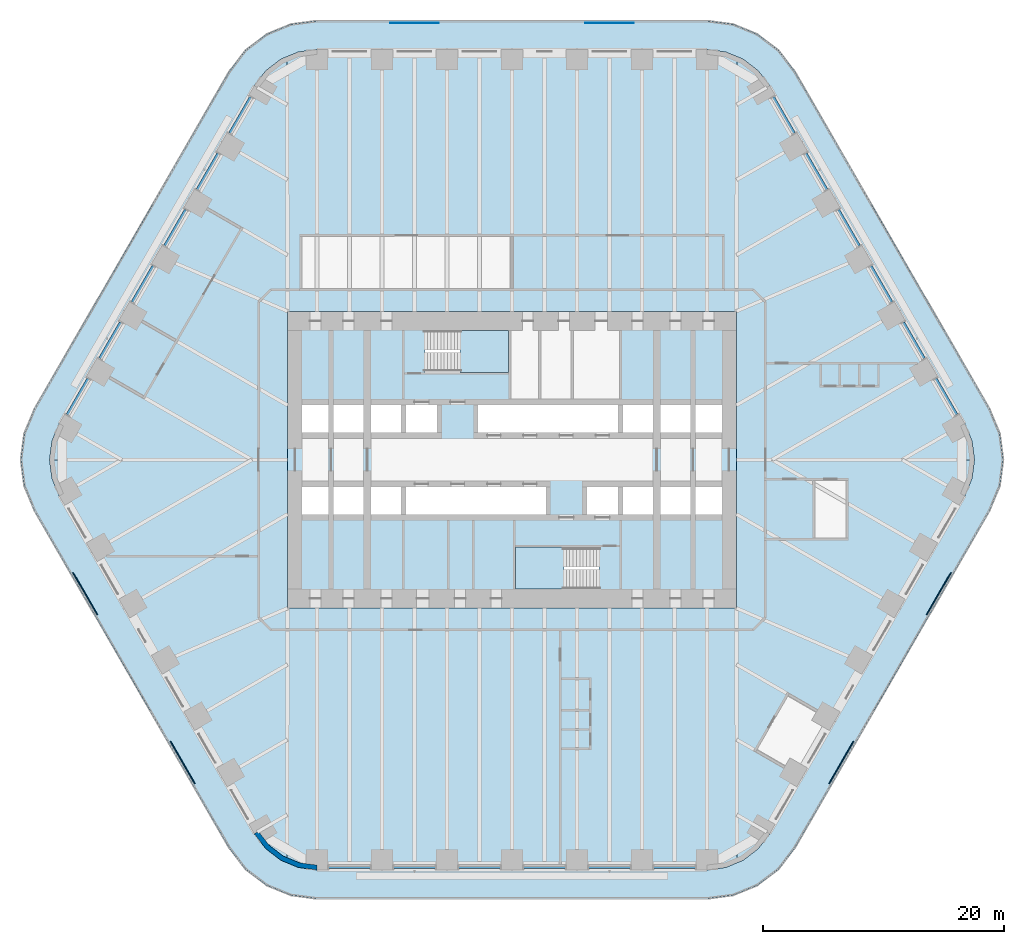
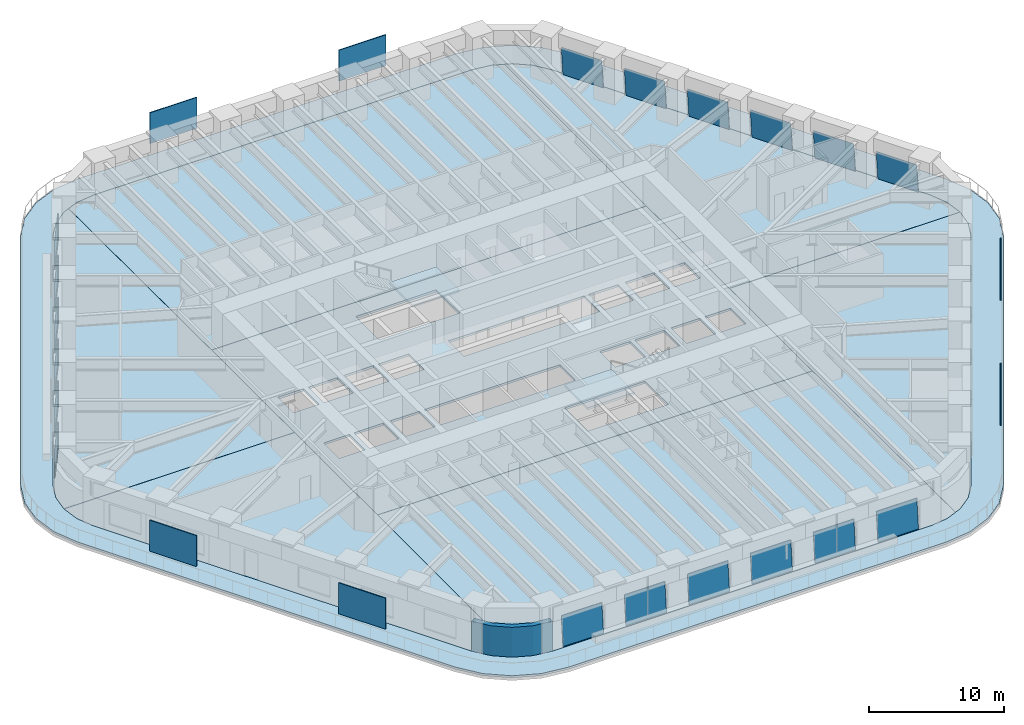
# One storey, part 15 of 24: 24 plates, 10 slabs, 1 wall, 20 elements without a shape of their own.
"""IFC4 building model written with IfcOpenShell, lengths in metres."""

import ifcopenshell
import ifcopenshell.guid

model = None  # the IFC model being written
_history = None  # IfcOwnerHistory: only IFC2X3 demands one
_inside = {}  # id of a spatial element -> (the spatial element, [elements in it])
_under = {}  # id of a project, library or spatial element -> (it, [spatial elements below it])
_declared = {}  # id of a project -> (the project, [libraries it declares])
_typed = {}  # id of a type object -> (the type object, [elements of that type])
_made_of = {}  # id of a material, layer set ... -> (it, [elements and type objects made of it])


def new_model(schema):
    """Start an empty IFC model of exactly this schema.

    Asked for "IFC4X3", IfcOpenShell would pick the latest addendum, in which some entities
    have other attributes; the version numbers below select the first issue.
    IFC2X3 requires an IfcOwnerHistory on every rooted entity: one is made here for all.
    """
    global model, _history
    if schema == "IFC4X3":
        model = ifcopenshell.file(schema_version=(4, 3, 0, 0))
    else:
        model = ifcopenshell.file(schema=schema)
    _inside.clear()
    _under.clear()
    _declared.clear()
    _typed.clear()
    _made_of.clear()
    _history = None
    if model.schema == "IFC2X3":
        org = make("IfcOrganization", Name="unknown")
        user = make(
            "IfcPersonAndOrganization",
            ThePerson=make("IfcPerson", FamilyName="unknown"),
            TheOrganization=org,
        )
        app = make(
            "IfcApplication",
            ApplicationDeveloper=org,
            Version="unknown",
            ApplicationFullName="unknown",
            ApplicationIdentifier="unknown",
        )
        _history = make(
            "IfcOwnerHistory",
            OwningUser=user,
            OwningApplication=app,
            ChangeAction="ADDED",
            CreationDate=0,
        )
    return model


def make(cls, **values):
    """One entity of the class cls with the attributes given. An attribute that is None is left unset."""
    return model.create_entity(
        cls, **{name: value for name, value in values.items() if value is not None}
    )


def rooted(cls, **values):
    """An entity with a GlobalId (a new one), such as an element, a storey or a relation."""
    return make(cls, GlobalId=ifcopenshell.guid.new(), OwnerHistory=_history, **values)


def si_unit(unit_type, name, prefix=None):
    """IfcSIUnit, for example si_unit("LENGTHUNIT", "METRE", prefix="MILLI")."""
    return make("IfcSIUnit", UnitType=unit_type, Prefix=prefix, Name=name)


def assignment(units):
    """IfcUnitAssignment: the units of a project."""
    return None if units is None else make("IfcUnitAssignment", Units=units)


def point(xyz):
    """IfcCartesianPoint."""
    return None if xyz is None else make("IfcCartesianPoint", Coordinates=xyz)


def direction(xyz):
    """IfcDirection."""
    return None if xyz is None else make("IfcDirection", DirectionRatios=xyz)


def frame(location, z_axis=None, x_axis=None):
    """IfcAxis2Placement3D, a coordinate frame: its origin and axes. An axis left out is left unset."""
    return make(
        "IfcAxis2Placement3D",
        Location=point(location),
        Axis=direction(z_axis),
        RefDirection=direction(x_axis),
    )


def frame_2d(location, x_axis=None):
    """IfcAxis2Placement2D, a coordinate frame in the plane: its origin and x axis."""
    return make(
        "IfcAxis2Placement2D", Location=point(location), RefDirection=direction(x_axis)
    )


def origin():
    """The frame at (0, 0, 0) with its axes left unset."""
    return frame((0.0, 0.0, 0.0))


def origin_2d():
    """The frame at (0, 0) in the plane with its x axis left unset."""
    return frame_2d((0.0, 0.0))


def place(relative_to, where):
    """IfcLocalPlacement: puts the frame where relative to a parent placement (None: the world)."""
    return make(
        "IfcLocalPlacement", PlacementRelTo=relative_to, RelativePlacement=where
    )


def context(
    kind, dimensions, precision=None, world=None, true_north=None, identifier=None
):
    """IfcGeometricRepresentationContext, for example the 3D "Model" context."""
    return make(
        "IfcGeometricRepresentationContext",
        ContextIdentifier=identifier,
        ContextType=kind,
        CoordinateSpaceDimension=dimensions,
        Precision=precision,
        WorldCoordinateSystem=world,
        TrueNorth=true_north,
    )


def subcontext(parent, identifier, kind, view, scale=None):
    """IfcGeometricRepresentationSubContext, for example "Body" below "Model"."""
    return make(
        "IfcGeometricRepresentationSubContext",
        ContextIdentifier=identifier,
        ContextType=kind,
        ParentContext=parent,
        TargetScale=scale,
        TargetView=view,
    )


def project(units=None, contexts=None):
    """IfcProject with its units and contexts."""
    return rooted(
        "IfcProject",
        Name="project",
        RepresentationContexts=contexts,
        UnitsInContext=assignment(units),
    )


def spatial(cls, under=None, at=None, **own):
    """A site, building, storey or space (cls), placed at a placement, below another one or the project."""
    s = rooted(cls, ObjectPlacement=at, **own)
    if under is not None:
        _under.setdefault(under.id(), (under, []))[1].append(s)
    return s


def polyline(points):
    """IfcPolyline through the points."""
    return make("IfcPolyline", Points=[point(p) for p in points])


def profile(cls, at=None, kind="AREA", **sizes):
    """A parametric profile (cls). Its sizes go by their IFC names, for example OverallWidth=200.0."""
    return make(cls, ProfileType=kind, Position=at, **sizes)


def rectangle(**sizes):
    """IfcRectangleProfileDef."""
    return profile("IfcRectangleProfileDef", **sizes)


def outline(outer, holes=None, kind="AREA"):
    """IfcArbitraryClosedProfileDef: a profile drawn as a closed curve; with holes, ...WithVoids."""
    if holes is None:
        return make("IfcArbitraryClosedProfileDef", ProfileType=kind, OuterCurve=outer)
    return make(
        "IfcArbitraryProfileDefWithVoids",
        ProfileType=kind,
        OuterCurve=outer,
        InnerCurves=holes,
    )


def extrude(swept, where, along, depth):
    """IfcExtrudedAreaSolid: the profile swept, set in the frame where, extruded along a direction by depth."""
    return make(
        "IfcExtrudedAreaSolid",
        SweptArea=swept,
        Position=where,
        ExtrudedDirection=direction(along),
        Depth=depth,
    )


def shape(context_of_items, identifier, shape_type, items):
    """IfcShapeRepresentation: the items that make up one representation, for example the "Body"."""
    return make(
        "IfcShapeRepresentation",
        ContextOfItems=context_of_items,
        RepresentationIdentifier=identifier,
        RepresentationType=shape_type,
        Items=items,
    )


def material(Name=None, Category=None):
    """IfcMaterial."""
    return make("IfcMaterial", Name=Name, Category=Category)


def layer(
    of_material, thickness, ventilated=None, Name=None, Category=None, Priority=None
):
    """IfcMaterialLayer: one layer of a wall or slab, of a material (None: an air gap)."""
    return make(
        "IfcMaterialLayer",
        Material=of_material,
        LayerThickness=thickness,
        IsVentilated=ventilated,
        Name=Name,
        Category=Category,
        Priority=Priority,
    )


def layer_set(layers, Name=None):
    """IfcMaterialLayerSet."""
    return make("IfcMaterialLayerSet", MaterialLayers=layers, LayerSetName=Name)


def made_of(thing, what):
    """Note that an element or type object is made of a material, layer set ...; save() writes the relation."""
    if what is not None:
        _made_of.setdefault(what.id(), (what, []))[1].append(thing)
    return thing


def type_object(cls, material=None, **own):
    """A type object (cls), such as IfcWallType, which elements share."""
    return made_of(rooted(cls, **own), material)


def element(
    cls,
    number,
    at=None,
    inside=None,
    cuts=None,
    type_object=None,
    material=None,
    context=None,
    identifier="Body",
    shape_type=None,
    held_by="IfcProductDefinitionShape",
    body=None,
    shapes=None,
    **own,
):
    """One element of the class cls, such as IfcWall. Its Tag is "e" and its number.

    at: its placement. inside: the storey or other place that contains it. cuts: it is an
    opening in that element (IfcRelVoidsElement). A single representation is given by context,
    identifier, shape_type and body (its items); several are given by shapes. held_by: the class
    of the entity that holds the representations. save() writes the other relations.
    """
    e = rooted(cls, Tag="e%d" % number, ObjectPlacement=at, **own)
    if body is not None:
        shapes = [shape(context, identifier, shape_type, body)]
    if shapes is not None:
        e.Representation = make(held_by, Representations=shapes)
    if inside is not None:
        _inside.setdefault(inside.id(), (inside, []))[1].append(e)
    if cuts is not None:
        rooted(
            "IfcRelVoidsElement", RelatingBuildingElement=cuts, RelatedOpeningElement=e
        )
    if type_object is not None:
        _typed.setdefault(type_object.id(), (type_object, []))[1].append(e)
    return made_of(e, material)


def aggregate(whole, parts):
    """IfcRelAggregates: a whole, such as a stair, and the parts it consists of."""
    return rooted("IfcRelAggregates", RelatingObject=whole, RelatedObjects=parts)


def save(model, path):
    """Write the relations noted so far, then the file.

    IfcRelAggregates (storeys below a building ...), IfcRelContainedInSpatialStructure (elements
    in a storey), IfcRelDefinesByType, IfcRelAssociatesMaterial and IfcRelDeclares: one each for
    every whole, place, type object, material and project.
    """
    for whole, parts in _under.values():
        aggregate(whole, parts)
    for where, things in _inside.values():
        rooted(
            "IfcRelContainedInSpatialStructure",
            RelatedElements=things,
            RelatingStructure=where,
        )
    for kind, things in _typed.values():
        rooted("IfcRelDefinesByType", RelatedObjects=things, RelatingType=kind)
    for what, things in _made_of.values():
        rooted("IfcRelAssociatesMaterial", RelatedObjects=things, RelatingMaterial=what)
    for by, libraries in _declared.values():
        rooted("IfcRelDeclares", RelatingContext=by, RelatedDefinitions=libraries)
    model.write(path)


model = new_model("IFC4")

# Units and contexts
model_context = context("Model", 3, precision=1e-05, world=origin(), true_north=direction((0.0, 1.0)))
body_context = subcontext(model_context, "Body", "Model", "MODEL_VIEW")
ifc_project = project(units=[si_unit("LENGTHUNIT", "METRE"), si_unit("AREAUNIT", "SQUARE_METRE"), si_unit("VOLUMEUNIT", "CUBIC_METRE"), si_unit("PLANEANGLEUNIT", "RADIAN"), si_unit("MASSUNIT", "GRAM", prefix="KILO")], contexts=[model_context])

# Site, building, storey
site_placement = place(None, origin())
site = spatial("IfcSite", under=ifc_project, at=site_placement, CompositionType="ELEMENT")
building_placement = place(site_placement, origin())
building = spatial("IfcBuilding", under=site, at=building_placement, Name="Tarfa Lantern Tower", CompositionType="ELEMENT")
storey_placement = place(building_placement, frame((0.0, 0.0, 94.89990234375)))
storey = spatial("IfcBuildingStorey", under=building, at=storey_placement, Name="L21", CompositionType="ELEMENT", Elevation=94.89990234375)

# Slab
ifc_material_1 = material(Name="Concrete C40/50", Category="concrete")
ifc_layer_1 = layer(ifc_material_1, 0.199951171875)
ifc_layer_set_1 = layer_set([ifc_layer_1], Name="BS2 BALCONY SLAB 200")
slab_type_1 = type_object("IfcSlabType", Name="BS2 BALCONY SLAB 200", PredefinedType="FLOOR", material=ifc_layer_set_1)
slab_1_placement = place(storey_placement, frame((0.0, 0.0, -0.199951171875)))
element("IfcSlab", 1, at=slab_1_placement, inside=storey, type_object=slab_type_1, Name="Balcony L21", PredefinedType="FLOOR", context=body_context, shape_type="SweptSolid", body=[
    extrude(outline(polyline([(39.606201171875, 4.199951171875), (23.4404296875, 32.199951171875), (22.10546875, 33.939697265625), (20.36572265625, 35.274658203125), (18.33984375, 36.11376953125), (16.165771484375, 36.39990234375), (-16.165771484375, 36.39990234375), (-18.33984375, 36.11376953125), (-20.36572265625, 35.274658203125), (-22.10546875, 33.939697265625), (-23.4404296875, 32.199951171875), (-39.606201171875, 4.199951171875), (-40.4453125, 2.174072265625), (-40.731689453125, 0.0), (-40.4453125, -2.174072265625), (-39.606201171875, -4.199951171875), (-23.4404296875, -32.199951171875), (-22.10546875, -33.939697265625), (-20.36572265625, -35.274658203125), (-18.33984375, -36.11376953125), (-16.165771484375, -36.39990234375), (16.165771484375, -36.39990234375), (18.33984375, -36.11376953125), (20.36572265625, -35.274658203125), (22.10546875, -33.939697265625), (23.4404296875, -32.199951171875), (39.606201171875, -4.199951171875), (40.4453125, -2.174072265625), (40.731689453125, 0.0), (40.4453125, 2.174072265625), (39.606201171875, 4.199951171875)]), holes=[polyline([(37.52783203125, 3.0), (21.362060546875, 31.0), (20.408447265625, 32.24267578125), (19.165771484375, 33.196044921875), (17.71875, 33.795654296875), (16.165771484375, 34.0), (-16.165771484375, 34.0), (-17.71875, 33.795654296875), (-19.165771484375, 33.196044921875), (-20.408447265625, 32.24267578125), (-21.362060546875, 31.0), (-37.52783203125, 3.0), (-38.127197265625, 1.552978515625), (-38.33154296875, 0.0), (-38.127197265625, -1.552978515625), (-37.52783203125, -3.0), (-21.362060546875, -31.0), (-20.408447265625, -32.24267578125), (-19.165771484375, -33.196044921875), (-17.71875, -33.795654296875), (-16.165771484375, -34.0), (16.165771484375, -34.0), (17.71875, -33.795654296875), (19.165771484375, -33.196044921875), (20.408447265625, -32.24267578125), (21.362060546875, -31.0), (37.52783203125, -3.0), (38.127197265625, -1.552978515625), (38.33154296875, 0.0), (38.127197265625, 1.552978515625), (37.52783203125, 3.0)])]), origin(), (0.0, 0.0, 1.0), 0.199951171875),
])

# Curtain wall, plate
ifc_material_2 = material(Name="Aluminium framed curtain wall", Category="aluminium")
curtain_wall_type = type_object("IfcCurtainWallType", Name="CW1 CANTED GLAZING LOW ZONE 2700", PredefinedType="USERDEFINED", material=ifc_material_2)
curtain_wall_1_placement = place(storey_placement, origin())
curtain_wall_1 = element("IfcCurtainWall", 2, at=curtain_wall_1_placement, inside=storey, type_object=curtain_wall_type, Name="CW1 NE L21", ObjectType="CURTAIN WALL", PredefinedType="USERDEFINED")
ifc_material_3 = material(Name="Laminated double glazing", Category="glass")
ifc_layer_2 = layer(ifc_material_3, 0.028076171875)
ifc_layer_set_2 = layer_set([ifc_layer_2], Name="CWP1 DOUBLE GLAZED PANEL")
plate_type_1 = type_object("IfcPlateType", Name="CWP1 DOUBLE GLAZED PANEL", PredefinedType="CURTAIN_PANEL", material=ifc_layer_set_2)
plate_1_placement = place(storey_placement, frame((36.958740234375, 3.78564453125, 0.0), z_axis=(0.862328668437, 0.497885244559, 0.092193008634), x_axis=(-0.500014824519, 0.866016844675, 1.185802e-06)))
plate_1 = element("IfcPlate", 3, at=plate_1_placement, type_object=plate_type_1, Name="CW1 panel 1.1", PredefinedType="CURTAIN_PANEL", context=body_context, shape_type="SweptSolid", body=[
    extrude(outline(polyline([(0.0, 0.0), (3.4588050986823675, -2.7755575615628914e-17), (3.458687227400386, 2.6462757406584143), (0.00021563254350503633, 2.646283978259601), (0.0, 0.0)])), origin(), (0.0, 0.0, -1.0), 0.028076171875),
])
aggregate(curtain_wall_1, [plate_1])

curtain_wall_2_placement = place(storey_placement, origin())
curtain_wall_2 = element("IfcCurtainWall", 4, at=curtain_wall_2_placement, inside=storey, type_object=curtain_wall_type, Name="CW1 NE L21", ObjectType="CURTAIN WALL", PredefinedType="USERDEFINED")
plate_2_placement = place(storey_placement, frame((34.264404296875, 8.452392578125, 0.0), z_axis=(0.862340709651, 0.497857052326, 0.092232618567), x_axis=(-0.499988388526, 0.866032107567, 1.620746e-06)))
plate_2 = element("IfcPlate", 5, at=plate_2_placement, type_object=plate_type_1, Name="CW1 panel 1.1", PredefinedType="CURTAIN_PANEL", context=body_context, shape_type="SweptSolid", body=[
    extrude(outline(polyline([(0.0, 0.0), (3.4584715946188553, 0.0), (3.458680924575474, 2.6462839784417604), (-2.1036633928729573e-06, 2.646295237386087), (0.0, 0.0)])), origin(), (0.0, 0.0, -1.0), 0.028076171875),
])
aggregate(curtain_wall_2, [plate_2])

curtain_wall_3_placement = place(storey_placement, origin())
curtain_wall_3 = element("IfcCurtainWall", 6, at=curtain_wall_3_placement, inside=storey, type_object=curtain_wall_type, Name="CW1 NE L21", ObjectType="CURTAIN WALL", PredefinedType="USERDEFINED")
plate_3_placement = place(storey_placement, frame((31.570068359375, 13.119140625, 0.0), z_axis=(0.86231804758, 0.497899404143, 0.092215878092), x_axis=(-0.500029787915, 0.866008205036, -2.80672e-06)))
plate_3 = element("IfcPlate", 7, at=plate_3_placement, type_object=plate_type_1, Name="CW1 panel 1.1", PredefinedType="CURTAIN_PANEL", context=body_context, shape_type="SweptSolid", body=[
    extrude(outline(polyline([(0.0, 0.0), (3.458471593550903, 0.0), (3.458469494159286, 2.6462952359903724), (-0.00012417697655749924, 2.6462757386504), (0.0, 0.0)])), origin(), (0.0, 0.0, -1.0), 0.028076171875),
])
aggregate(curtain_wall_3, [plate_3])

curtain_wall_4_placement = place(storey_placement, origin())
curtain_wall_4 = element("IfcCurtainWall", 8, at=curtain_wall_4_placement, inside=storey, type_object=curtain_wall_type, Name="CW1 NE L21", ObjectType="CURTAIN WALL", PredefinedType="USERDEFINED")
plate_4_placement = place(storey_placement, frame((28.875732421875, 17.78564453125, 0.0), z_axis=(0.862328668437, 0.497885244559, 0.092193008634), x_axis=(-0.500014374553, 0.866017104462, -4.42593e-06)))
plate_4 = element("IfcPlate", 9, at=plate_4_placement, type_object=plate_type_1, Name="CW1 panel 1.1", PredefinedType="CURTAIN_PANEL", context=body_context, shape_type="SweptSolid", body=[
    extrude(outline(polyline([(0.0, 0.0), (3.458683024805527, 0.0), (3.45867231364208, 2.646295232853952), (7.864497178416369e-05, 2.646264486530969), (0.0, 0.0)])), origin(), (0.0, 0.0, -1.0), 0.028076171875),
])
aggregate(curtain_wall_4, [plate_4])

curtain_wall_5_placement = place(storey_placement, origin())
curtain_wall_5 = element("IfcCurtainWall", 10, at=curtain_wall_5_placement, inside=storey, type_object=curtain_wall_type, Name="CW1 NE L21", ObjectType="CURTAIN WALL", PredefinedType="USERDEFINED")
plate_5_placement = place(storey_placement, frame((26.181396484375, 22.452392578125, 0.0), z_axis=(0.862347061743, 0.497860719593, 0.092153399226), x_axis=(-0.499988388302, 0.866032107696, 1.619366e-06)))
plate_5 = element("IfcPlate", 11, at=plate_5_placement, type_object=plate_type_1, Name="CW1 panel 1.1", PredefinedType="CURTAIN_PANEL", context=body_context, shape_type="SweptSolid", body=[
    extrude(outline(polyline([(0.0, 0.0), (3.458471594618848, 0.0), (3.4585588533982596, 2.64626449077229), (-0.0001241748406306579, 2.6462757400462187), (0.0, 0.0)])), origin(), (0.0, 0.0, -1.0), 0.028076171875),
])
aggregate(curtain_wall_5, [plate_5])

curtain_wall_6_placement = place(storey_placement, origin())
curtain_wall_6 = element("IfcCurtainWall", 12, at=curtain_wall_6_placement, inside=storey, type_object=curtain_wall_type, Name="CW1 NE L21", ObjectType="CURTAIN WALL", PredefinedType="USERDEFINED")
plate_6_placement = place(storey_placement, frame((23.487060546875, 27.119140625, 0.0), z_axis=(0.862336442431, 0.497874879503, 0.092176268179), x_axis=(-0.500003541824, 0.866023358902, 0.0)))
plate_6 = element("IfcPlate", 13, at=plate_6_placement, type_object=plate_type_1, Name="CW1 panel 1.1", PredefinedType="CURTAIN_PANEL", context=body_context, shape_type="SweptSolid", body=[
    extrude(outline(polyline([(0.0, 0.0), (3.4584715951528233, 0.0), (3.4583474213801635, 2.6462757407441324), (-0.00012417377265973306, 2.6462757407441324), (0.0, 0.0)])), origin(), (0.0, 0.0, -1.0), 0.028076171875),
])
aggregate(curtain_wall_6, [plate_6])

curtain_wall_7_placement = place(storey_placement, origin())
curtain_wall_7 = element("IfcCurtainWall", 14, at=curtain_wall_7_placement, inside=storey, type_object=curtain_wall_type, Name="CW1 NW L21", ObjectType="CURTAIN WALL", PredefinedType="USERDEFINED")
plate_7_placement = place(storey_placement, frame((-21.7578125, 30.1142578125, 0.0), z_axis=(-0.862336442431, 0.497874879503, 0.092176268179), x_axis=(-0.500003541824, -0.866023358902, 0.0)))
plate_7 = element("IfcPlate", 15, at=plate_7_placement, type_object=plate_type_1, Name="CW1 panel 1.1", PredefinedType="CURTAIN_PANEL", context=body_context, shape_type="SweptSolid", body=[
    extrude(outline(polyline([(0.0, 0.0), (3.4584715951528233, 0.0), (3.4585957689254827, 2.6462757407441324), (0.00012417377265973306, 2.6462757407441324), (0.0, 0.0)])), origin(), (0.0, 0.0, -1.0), 0.028076171875),
])
aggregate(curtain_wall_7, [plate_7])

curtain_wall_8_placement = place(storey_placement, origin())
curtain_wall_8 = element("IfcCurtainWall", 16, at=curtain_wall_8_placement, inside=storey, type_object=curtain_wall_type, Name="CW1 NW L21", ObjectType="CURTAIN WALL", PredefinedType="USERDEFINED")
plate_8_placement = place(storey_placement, frame((-24.4521484375, 25.447509765625, 0.0), z_axis=(-0.862347061743, 0.497860719593, 0.092153399226), x_axis=(-0.499988388302, -0.866032107696, -1.619366e-06)))
plate_8 = element("IfcPlate", 17, at=plate_8_placement, type_object=plate_type_1, Name="CW1 panel 1.1", PredefinedType="CURTAIN_PANEL", context=body_context, shape_type="SweptSolid", body=[
    extrude(outline(polyline([(0.0, 0.0), (3.458471594618848, 0.0), (3.458595769459478, 2.6462757400462182), (-8.725877941228665e-05, 2.64626449077229), (0.0, 0.0)])), origin(), (0.0, 0.0, -1.0), 0.028076171875),
])
aggregate(curtain_wall_8, [plate_8])

curtain_wall_9_placement = place(storey_placement, origin())
curtain_wall_9 = element("IfcCurtainWall", 18, at=curtain_wall_9_placement, inside=storey, type_object=curtain_wall_type, Name="CW1 NW L21", ObjectType="CURTAIN WALL", PredefinedType="USERDEFINED")
plate_9_placement = place(storey_placement, frame((-27.146484375, 20.781005859375, 0.0), z_axis=(-0.862328668437, 0.497885244559, 0.092193008634), x_axis=(-0.500014374553, -0.866017104462, 4.42593e-06)))
plate_9 = element("IfcPlate", 19, at=plate_9_placement, type_object=plate_type_1, Name="CW1 panel 1.1", PredefinedType="CURTAIN_PANEL", context=body_context, shape_type="SweptSolid", body=[
    extrude(outline(polyline([(0.0, 0.0), (3.458683024805527, 0.0), (3.4586043798337425, 2.646264486530969), (1.0711163447508162e-05, 2.646295232853952), (0.0, 0.0)])), origin(), (0.0, 0.0, -1.0), 0.028076171875),
])
aggregate(curtain_wall_9, [plate_9])

curtain_wall_10_placement = place(storey_placement, origin())
curtain_wall_10 = element("IfcCurtainWall", 20, at=curtain_wall_10_placement, inside=storey, type_object=curtain_wall_type, Name="CW1 NW L21", ObjectType="CURTAIN WALL", PredefinedType="USERDEFINED")
plate_10_placement = place(storey_placement, frame((-29.8408203125, 16.1142578125, 0.0), z_axis=(-0.86231804758, 0.497899404143, 0.092215878092), x_axis=(-0.500029787915, -0.866008205036, 2.80672e-06)))
plate_10 = element("IfcPlate", 21, at=plate_10_placement, type_object=plate_type_1, Name="CW1 panel 1.1", PredefinedType="CURTAIN_PANEL", context=body_context, shape_type="SweptSolid", body=[
    extrude(outline(polyline([(0.0, 0.0), (3.458471593550903, 0.0), (3.4585957705274604, 2.6462757386504), (2.099391617293653e-06, 2.6462952359903724), (0.0, 0.0)])), origin(), (0.0, 0.0, -1.0), 0.028076171875),
])
aggregate(curtain_wall_10, [plate_10])

curtain_wall_11_placement = place(storey_placement, origin())
curtain_wall_11 = element("IfcCurtainWall", 22, at=curtain_wall_11_placement, inside=storey, type_object=curtain_wall_type, Name="CW1 NW L21", ObjectType="CURTAIN WALL", PredefinedType="USERDEFINED")
plate_11_placement = place(storey_placement, frame((-32.53515625, 11.447509765625, 0.0), z_axis=(-0.862340709651, 0.497857052326, 0.092232618567), x_axis=(-0.499988388526, -0.866032107567, -1.620746e-06)))
plate_11 = element("IfcPlate", 23, at=plate_11_placement, type_object=plate_type_1, Name="CW1 panel 1.1", PredefinedType="CURTAIN_PANEL", context=body_context, shape_type="SweptSolid", body=[
    extrude(outline(polyline([(0.0, 0.0), (3.4584715946188553, 0.0), (3.458473698282248, 2.646295237386087), (-0.00020932995661861062, 2.6462839784417604), (0.0, 0.0)])), origin(), (0.0, 0.0, -1.0), 0.028076171875),
])
aggregate(curtain_wall_11, [plate_11])

curtain_wall_12_placement = place(storey_placement, origin())
curtain_wall_12 = element("IfcCurtainWall", 24, at=curtain_wall_12_placement, inside=storey, type_object=curtain_wall_type, Name="CW1 NW L21", ObjectType="CURTAIN WALL", PredefinedType="USERDEFINED")
plate_12_placement = place(storey_placement, frame((-35.229248046875, 6.781005859375, 0.0), z_axis=(-0.862328668437, 0.497885244559, 0.092193008634), x_axis=(-0.500014824519, -0.866016844675, -1.185802e-06)))
plate_12 = element("IfcPlate", 25, at=plate_12_placement, type_object=plate_type_1, Name="CW1 panel 1.1", PredefinedType="CURTAIN_PANEL", context=body_context, shape_type="SweptSolid", body=[
    extrude(outline(polyline([(0.0, 0.0), (3.4588050986823675, 2.7755575615628914e-17), (3.4585894661388625, 2.646283978259601), (0.00011787128198159993, 2.6462757406584143), (0.0, 0.0)])), origin(), (0.0, 0.0, -1.0), 0.028076171875),
])
aggregate(curtain_wall_12, [plate_12])

curtain_wall_13_placement = place(storey_placement, origin())
curtain_wall_13 = element("IfcCurtainWall", 26, at=curtain_wall_13_placement, inside=storey, type_object=curtain_wall_type, Name="CW1 S L21", ObjectType="CURTAIN WALL", PredefinedType="USERDEFINED")
plate_13_placement = place(storey_placement, frame((-15.200927734375, -33.89990234375, 0.0), z_axis=(0.0, -0.995743653657, 0.092166025202), x_axis=(1.0, 0.0, 0.0)))
plate_13 = element("IfcPlate", 27, at=plate_13_placement, type_object=plate_type_1, Name="CW1 panel 1.1", PredefinedType="CURTAIN_PANEL", context=body_context, shape_type="SweptSolid", body=[
    extrude(outline(polyline([(0.0, 0.0), (3.458740234375, 0.0), (3.458740234375, 2.6462732209712594), (0.0, 2.6462732209712594), (0.0, 0.0)])), origin(), (0.0, 0.0, -1.0), 0.028076171875),
])
aggregate(curtain_wall_13, [plate_13])

curtain_wall_14_placement = place(storey_placement, origin())
curtain_wall_14 = element("IfcCurtainWall", 28, at=curtain_wall_14_placement, inside=storey, type_object=curtain_wall_type, Name="CW1 S L21", ObjectType="CURTAIN WALL", PredefinedType="USERDEFINED")
plate_14_placement = place(storey_placement, frame((-9.812255859375, -33.89990234375, 0.0), z_axis=(0.0, -0.995743653657, 0.092166025202), x_axis=(1.0, 0.0, 0.0)))
plate_14 = element("IfcPlate", 29, at=plate_14_placement, type_object=plate_type_1, Name="CW1 panel 1.1", PredefinedType="CURTAIN_PANEL", context=body_context, shape_type="SweptSolid", body=[
    extrude(outline(polyline([(0.0, 0.0), (3.458740234375, 0.0), (3.458740234375, 2.6462732209712594), (0.0, 2.6462732209712594), (0.0, 0.0)])), origin(), (0.0, 0.0, -1.0), 0.028076171875),
])
aggregate(curtain_wall_14, [plate_14])

curtain_wall_15_placement = place(storey_placement, origin())
curtain_wall_15 = element("IfcCurtainWall", 30, at=curtain_wall_15_placement, inside=storey, type_object=curtain_wall_type, Name="CW1 S L21", ObjectType="CURTAIN WALL", PredefinedType="USERDEFINED")
plate_15_placement = place(storey_placement, frame((-4.423583984375, -33.89990234375, 0.0), z_axis=(0.0, -0.995743653657, 0.092166025202), x_axis=(1.0, 0.0, 0.0)))
plate_15 = element("IfcPlate", 31, at=plate_15_placement, type_object=plate_type_1, Name="CW1 panel 1.1", PredefinedType="CURTAIN_PANEL", context=body_context, shape_type="SweptSolid", body=[
    extrude(outline(polyline([(0.0, 0.0), (3.45849609375, 0.0), (3.45849609375, 2.6462732209712594), (0.0, 2.6462732209712594), (0.0, 0.0)])), origin(), (0.0, 0.0, -1.0), 0.028076171875),
])
aggregate(curtain_wall_15, [plate_15])

curtain_wall_16_placement = place(storey_placement, origin())
curtain_wall_16 = element("IfcCurtainWall", 32, at=curtain_wall_16_placement, inside=storey, type_object=curtain_wall_type, Name="CW1 S L21", ObjectType="CURTAIN WALL", PredefinedType="USERDEFINED")
plate_16_placement = place(storey_placement, frame((0.965087890625, -33.89990234375, 0.0), z_axis=(0.0, -0.995743653657, 0.092166025202), x_axis=(1.0, 0.0, 0.0)))
plate_16 = element("IfcPlate", 33, at=plate_16_placement, type_object=plate_type_1, Name="CW1 panel 1.1", PredefinedType="CURTAIN_PANEL", context=body_context, shape_type="SweptSolid", body=[
    extrude(outline(polyline([(0.0, 0.0), (3.45849609375, 0.0), (3.45849609375, 2.6462732209712594), (0.0, 2.6462732209712594), (0.0, 0.0)])), origin(), (0.0, 0.0, -1.0), 0.028076171875),
])
aggregate(curtain_wall_16, [plate_16])

curtain_wall_17_placement = place(storey_placement, origin())
curtain_wall_17 = element("IfcCurtainWall", 34, at=curtain_wall_17_placement, inside=storey, type_object=curtain_wall_type, Name="CW1 S L21", ObjectType="CURTAIN WALL", PredefinedType="USERDEFINED")
plate_17_placement = place(storey_placement, frame((6.353515625, -33.89990234375, 0.0), z_axis=(0.0, -0.995743653657, 0.092166025202), x_axis=(1.0, 0.0, 0.0)))
plate_17 = element("IfcPlate", 35, at=plate_17_placement, type_object=plate_type_1, Name="CW1 panel 1.1", PredefinedType="CURTAIN_PANEL", context=body_context, shape_type="SweptSolid", body=[
    extrude(outline(polyline([(0.0, 0.0), (3.458740234375, 0.0), (3.458740234375, 2.6462732209712594), (0.0, 2.6462732209712594), (0.0, 0.0)])), origin(), (0.0, 0.0, -1.0), 0.028076171875),
])
aggregate(curtain_wall_17, [plate_17])

curtain_wall_18_placement = place(storey_placement, origin())
curtain_wall_18 = element("IfcCurtainWall", 36, at=curtain_wall_18_placement, inside=storey, type_object=curtain_wall_type, Name="CW1 S L21", ObjectType="CURTAIN WALL", PredefinedType="USERDEFINED")
plate_18_placement = place(storey_placement, frame((11.7421875, -33.89990234375, 0.0), z_axis=(0.0, -0.995743653657, 0.092166025202), x_axis=(1.0, 0.0, 0.0)))
plate_18 = element("IfcPlate", 37, at=plate_18_placement, type_object=plate_type_1, Name="CW1 panel 1.1", PredefinedType="CURTAIN_PANEL", context=body_context, shape_type="SweptSolid", body=[
    extrude(outline(polyline([(0.0, 0.0), (3.458740234375, 0.0), (3.458740234375, 2.6462732209712594), (0.0, 2.6462732209712594), (0.0, 0.0)])), origin(), (0.0, 0.0, -1.0), 0.028076171875),
])
aggregate(curtain_wall_18, [plate_18])

# Slabs
ifc_layer_3 = layer(ifc_material_1, 0.199951171875)
ifc_layer_set_3 = layer_set([ifc_layer_3], Name="FS1 FLOOR SLAB 200")
slab_type_2 = type_object("IfcSlabType", Name="FS1 FLOOR SLAB 200", PredefinedType="FLOOR", material=ifc_layer_set_3)
slab_2_placement = place(storey_placement, frame((0.0, 0.0, -0.199951171875)))
element("IfcSlab", 38, at=slab_2_placement, inside=storey, type_object=slab_type_2, Name="Floor slab L21", PredefinedType="FLOOR", context=body_context, shape_type="SweptSolid", body=[
    extrude(outline(polyline([(-18.60009765625, -12.300048828125), (18.60009765625, -12.300048828125), (18.60009765625, 12.300048828125), (-18.60009765625, 12.300048828125), (-18.60009765625, -12.300048828125)]), holes=[polyline([(-17.39990234375, 2.25), (-15.199951171875, 2.25), (-15.199951171875, 4.550048828125), (-17.39990234375, 4.550048828125), (-17.39990234375, 2.25)]), polyline([(-14.800048828125, 2.25), (-12.300048828125, 2.25), (-12.300048828125, 4.550048828125), (-14.800048828125, 4.550048828125), (-14.800048828125, 2.25)]), polyline([(-11.699951171875, 2.25), (-9.199951171875, 2.25), (-9.199951171875, 4.550048828125), (-11.699951171875, 4.550048828125), (-11.699951171875, 2.25)]), polyline([(-8.800048828125, 2.25), (-6.199951171875, 2.25), (-6.199951171875, 4.550048828125), (-8.800048828125, 4.550048828125), (-8.800048828125, 2.25)]), polyline([(-2.800048828125, 2.25), (8.800048828125, 2.25), (8.800048828125, 4.550048828125), (-2.800048828125, 4.550048828125), (-2.800048828125, 2.25)]), polyline([(9.199951171875, 2.25), (11.699951171875, 2.25), (11.699951171875, 4.550048828125), (9.199951171875, 4.550048828125), (9.199951171875, 2.25)]), polyline([(12.300048828125, 2.25), (14.800048828125, 2.25), (14.800048828125, 4.550048828125), (12.300048828125, 4.550048828125), (12.300048828125, 2.25)]), polyline([(15.199951171875, 2.25), (17.39990234375, 2.25), (17.39990234375, 4.550048828125), (15.199951171875, 4.550048828125), (15.199951171875, 2.25)]), polyline([(17.39990234375, -2.25), (15.199951171875, -2.25), (15.199951171875, -4.550048828125), (17.39990234375, -4.550048828125), (17.39990234375, -2.25)]), polyline([(14.800048828125, -2.25), (12.300048828125, -2.25), (12.300048828125, -4.550048828125), (14.800048828125, -4.550048828125), (14.800048828125, -2.25)]), polyline([(11.699951171875, -2.25), (9.199951171875, -2.25), (9.199951171875, -4.550048828125), (11.699951171875, -4.550048828125), (11.699951171875, -2.25)]), polyline([(8.800048828125, -2.25), (6.199951171875, -2.25), (6.199951171875, -4.550048828125), (8.800048828125, -4.550048828125), (8.800048828125, -2.25)]), polyline([(2.800048828125, -2.25), (-8.800048828125, -2.25), (-8.800048828125, -4.550048828125), (2.800048828125, -4.550048828125), (2.800048828125, -2.25)]), polyline([(-9.199951171875, -2.25), (-11.699951171875, -2.25), (-11.699951171875, -4.550048828125), (-9.199951171875, -4.550048828125), (-9.199951171875, -2.25)]), polyline([(-12.300048828125, -2.25), (-14.800048828125, -2.25), (-14.800048828125, -4.550048828125), (-12.300048828125, -4.550048828125), (-12.300048828125, -2.25)]), polyline([(-15.199951171875, -2.25), (-17.39990234375, -2.25), (-17.39990234375, -4.550048828125), (-15.199951171875, -4.550048828125), (-15.199951171875, -2.25)]), polyline([(-7.199951171875, 7.25), (-0.300048828125, 7.25), (-0.300048828125, 10.699951171875), (-7.199951171875, 10.699951171875), (-7.199951171875, 7.25)]), polyline([(7.199951171875, -7.25), (0.300048828125, -7.25), (0.300048828125, -10.699951171875), (7.199951171875, -10.699951171875), (7.199951171875, -7.25)])]), origin(), (0.0, 0.0, 1.0), 0.199951171875),
])
slab_3_placement = place(storey_placement, frame((0.0, 0.0, -0.199951171875)))
element("IfcSlab", 39, at=slab_3_placement, inside=storey, type_object=slab_type_2, Name="Floor slab L21 NE bay", PredefinedType="FLOOR", context=body_context, shape_type="SweptSolid", body=[
    extrude(outline(polyline([(37.52587890625, 2.9990234375), (21.3603515625, 30.998779296875), (20.406982421875, 32.2412109375), (19.164794921875, 33.1943359375), (18.64697265625, 33.408935546875), (18.60205078125, 12.300048828125), (18.60205078125, 0.001953125), (38.329345703125, 0.001953125), (38.125244140625, 1.552490234375), (37.52587890625, 2.9990234375)])), origin(), (0.0, 0.0, 1.0), 0.199951171875),
])
slab_4_placement = place(storey_placement, frame((0.0, 0.0, -0.199951171875)))
element("IfcSlab", 40, at=slab_4_placement, inside=storey, type_object=slab_type_2, Name="Floor slab L21 N bay", PredefinedType="FLOOR", context=body_context, shape_type="SweptSolid", body=[
    extrude(outline(polyline([(-18.597900390625, 12.302001953125), (18.597900390625, 12.302001953125), (18.64306640625, 33.41064453125), (17.71826171875, 33.793701171875), (16.165771484375, 33.998046875), (-16.165771484375, 33.998046875), (-17.71826171875, 33.793701171875), (-18.64306640625, 33.41064453125), (-18.597900390625, 12.302001953125)])), origin(), (0.0, 0.0, 1.0), 0.199951171875),
])
slab_5_placement = place(storey_placement, frame((0.0, 0.0, -0.199951171875)))
element("IfcSlab", 41, at=slab_5_placement, inside=storey, type_object=slab_type_2, Name="Floor slab L21 NW bay", PredefinedType="FLOOR", context=body_context, shape_type="SweptSolid", body=[
    extrude(outline(polyline([(-18.60205078125, 0.001953125), (-18.60205078125, 12.300048828125), (-18.64697265625, 33.408935546875), (-19.164794921875, 33.1943359375), (-20.406982421875, 32.2412109375), (-21.3603515625, 30.998779296875), (-37.52587890625, 2.9990234375), (-38.125244140625, 1.552490234375), (-38.329345703125, 0.001953125), (-18.60205078125, 0.001953125)])), origin(), (0.0, 0.0, 1.0), 0.199951171875),
])
slab_6_placement = place(storey_placement, frame((0.0, 0.0, -0.199951171875)))
element("IfcSlab", 42, at=slab_6_placement, inside=storey, type_object=slab_type_2, Name="Floor slab L21 SW bay", PredefinedType="FLOOR", context=body_context, shape_type="SweptSolid", body=[
    extrude(outline(polyline([(-18.60205078125, -12.300048828125), (-18.60205078125, -0.001953125), (-38.329345703125, -0.001953125), (-38.125244140625, -1.552490234375), (-37.52587890625, -2.9990234375), (-21.3603515625, -30.998779296875), (-20.406982421875, -32.2412109375), (-19.164794921875, -33.1943359375), (-18.64697265625, -33.408935546875), (-18.60205078125, -12.300048828125)])), origin(), (0.0, 0.0, 1.0), 0.199951171875),
])
slab_7_placement = place(storey_placement, frame((0.0, 0.0, -0.199951171875)))
element("IfcSlab", 43, at=slab_7_placement, inside=storey, type_object=slab_type_2, Name="Floor slab L21 S bay", PredefinedType="FLOOR", context=body_context, shape_type="SweptSolid", body=[
    extrude(outline(polyline([(18.597900390625, -12.302001953125), (-18.597900390625, -12.302001953125), (-18.64306640625, -33.41064453125), (-17.71826171875, -33.793701171875), (-16.165771484375, -33.998046875), (16.165771484375, -33.998046875), (17.71826171875, -33.793701171875), (18.64306640625, -33.41064453125), (18.597900390625, -12.302001953125)])), origin(), (0.0, 0.0, 1.0), 0.199951171875),
])
slab_8_placement = place(storey_placement, frame((0.0, 0.0, -0.199951171875)))
element("IfcSlab", 44, at=slab_8_placement, inside=storey, type_object=slab_type_2, Name="Floor slab L21 SE bay", PredefinedType="FLOOR", context=body_context, shape_type="SweptSolid", body=[
    extrude(outline(polyline([(18.60205078125, -0.001953125), (18.60205078125, -12.300048828125), (18.64697265625, -33.408935546875), (19.164794921875, -33.1943359375), (20.406982421875, -32.2412109375), (21.3603515625, -30.998779296875), (37.52587890625, -2.9990234375), (38.125244140625, -1.552490234375), (38.329345703125, -0.001953125), (18.60205078125, -0.001953125)])), origin(), (0.0, 0.0, 1.0), 0.199951171875),
])

# Plates
ifc_material_4 = material(Name="Perforated limestone screen", Category="masonry")
ifc_layer_4 = layer(ifc_material_4, 0.080078125)
ifc_layer_set_4 = layer_set([ifc_layer_4], Name="SC1 STONE SCREEN 80")
plate_type_2 = type_object("IfcPlateType", Name="SC1 STONE SCREEN 80", PredefinedType="USERDEFINED", material=ifc_layer_set_4)
for number, where, z_axis, x_axis, name in (
    (45, (8.0830078125, 36.199951171875, 1.2001953125), (0.0, 0.0, 1.0), (-1.0, 0.0, 0.0), "Stone screen N 1"),
    (46, (-8.0830078125, 36.199951171875, 1.2001953125), (0.0, 0.0, 1.0), (-1.0, 0.0, 0.0), "Stone screen N 2"),
    (47, (-35.3916015625, -11.10009765625, 1.2001953125), (0.0, 0.0, 1.0), (0.5, -0.866025403784, 0.0), "Stone screen SW 1"),
    (48, (-27.30859375, -25.10009765625, 1.2001953125), (0.0, 0.0, 1.0), (0.5, -0.866025403784, 0.0), "Stone screen SW 2"),
    (49, (27.30859375, -25.10009765625, 1.2001953125), (0.0, 0.0, 1.0), (0.5, 0.866025403784, 0.0), "Stone screen SE 1"),
    (50, (35.3916015625, -11.10009765625, 1.2001953125), (0.0, 0.0, 1.0), (0.5, 0.866025403784, 0.0), "Stone screen SE 2"),
):
    element("IfcPlate", number, at=place(storey_placement, frame(where, z_axis=z_axis, x_axis=x_axis)), inside=storey, type_object=plate_type_2, Name=name, ObjectType="SCREEN", PredefinedType="USERDEFINED", context=body_context, shape_type="SweptSolid", body=[
        extrude(rectangle(XDim=4.0, YDim=0.080078125, at=origin_2d()), origin(), (0.0, 0.0, 1.0), 2.800048828125),
    ])

# Stair, slab
stair_type = type_object("IfcStairType", Name="ST-T10 HALF-TURN STAIR 4200 RISE", PredefinedType="HALF_TURN_STAIR", material=ifc_material_1)
stair_1_placement = place(storey_placement, origin())
stair_1 = element("IfcStair", 51, at=stair_1_placement, inside=storey, type_object=stair_type, Name="Stair ST1", PredefinedType="HALF_TURN_STAIR")
ifc_layer_5 = layer(ifc_material_1, 0.199951171875)
ifc_layer_set_5 = layer_set([ifc_layer_5], Name="SL1 STAIR LANDING 200")
slab_type_3 = type_object("IfcSlabType", Name="SL1 STAIR LANDING 200", PredefinedType="LANDING", material=ifc_layer_set_5)
slab_9_placement = place(storey_placement, frame((0.0, 0.0, 1.900146484375)))
slab_9 = element("IfcSlab", 52, at=slab_9_placement, type_object=slab_type_3, Name="ST1 landing 1", PredefinedType="LANDING", context=body_context, shape_type="SweptSolid", body=[
    extrude(outline(polyline([(-4.320068359375, 7.25), (-0.300048828125, 7.25), (-0.300048828125, 10.699951171875), (-4.320068359375, 10.699951171875), (-4.320068359375, 7.25)])), origin(), (0.0, 0.0, 1.0), 0.199951171875),
])
aggregate(stair_1, [slab_9])

stair_2_placement = place(storey_placement, origin())
stair_2 = element("IfcStair", 53, at=stair_2_placement, inside=storey, type_object=stair_type, Name="Stair ST2", PredefinedType="HALF_TURN_STAIR")
slab_10_placement = place(storey_placement, frame((0.0, 0.0, 1.900146484375)))
slab_10 = element("IfcSlab", 54, at=slab_10_placement, type_object=slab_type_3, Name="ST2 landing 1", PredefinedType="LANDING", context=body_context, shape_type="SweptSolid", body=[
    extrude(outline(polyline([(4.320068359375, -7.25), (0.300048828125, -7.25), (0.300048828125, -10.699951171875), (4.320068359375, -10.699951171875), (4.320068359375, -7.25)])), origin(), (0.0, 0.0, 1.0), 0.199951171875),
])
aggregate(stair_2, [slab_10])

# Wall
ifc_material_5 = material(Name="Limestone cladding on blockwork", Category="masonry")
ifc_layer_6 = layer(ifc_material_5, 0.39990234375)
ifc_layer_set_6 = layer_set([ifc_layer_6], Name="EW2 CURVED STONE CORNER 400")
wall_type = type_object("IfcWallType", Name="EW2 CURVED STONE CORNER 400", PredefinedType="SOLIDWALL", material=ifc_layer_set_6)
wall_placement = place(storey_placement, origin())
element("IfcWall", 55, at=wall_placement, inside=storey, type_object=wall_type, Name="Stone corner SW-S", PredefinedType="SOLIDWALL", context=body_context, shape_type="SweptSolid", body=[
    extrude(outline(polyline([(-21.362060546875, -31.0), (-20.408447265625, -32.24267578125), (-19.165771484375, -33.196044921875), (-17.71875, -33.795654296875), (-16.165771484375, -34.0), (-16.165771484375, -33.60009765625), (-17.615234375, -33.4091796875), (-18.9658203125, -32.849853515625), (-20.12548828125, -31.959716796875), (-21.015625, -30.800048828125), (-21.362060546875, -31.0)])), origin(), (0.0, 0.0, 1.0), 2.7001953125),
])

save(model, "model.ifc")
